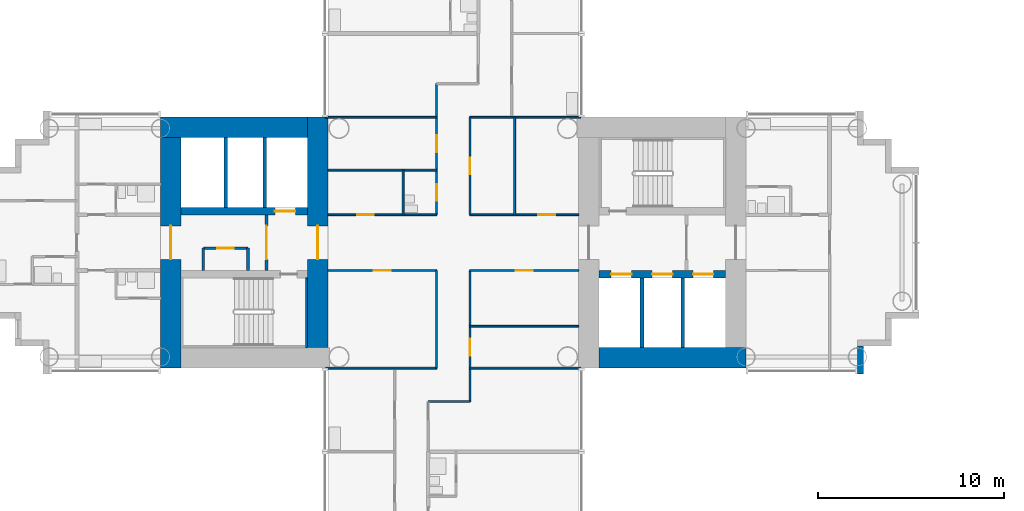
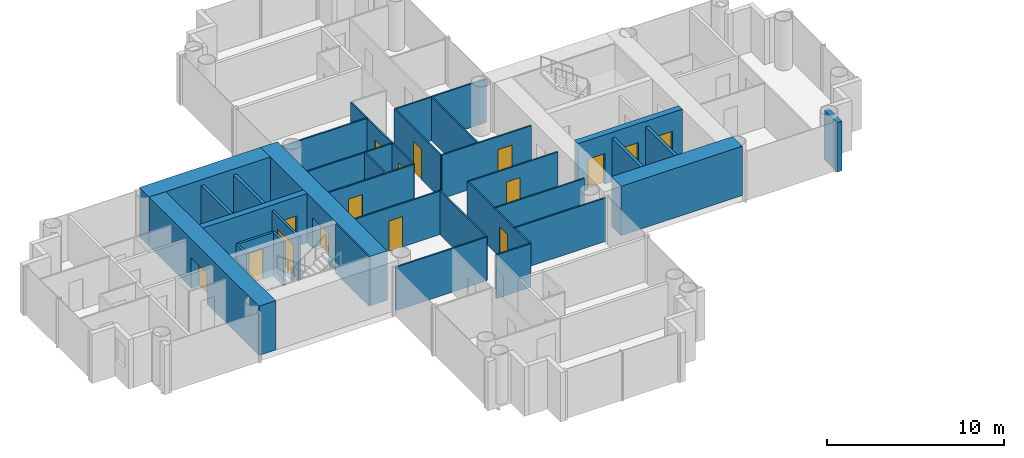
# One storey, part 10 of 22: 33 walls, 16 doors, 16 openings.
"""IFC4 building model written with IfcOpenShell, lengths in metres."""

from ifc_helpers import new_model, si_unit, direction, frame, frame_2d, origin, place, context, subcontext, project, spatial, rectangle, extrude, material, layer, layer_set, type_object, element, fill, save


model = new_model("IFC4")

# Units and contexts
model_context = context("Model", 3, precision=1e-05, world=origin(), true_north=direction((0.0, 1.0)))
body_context = subcontext(model_context, "Body", "Model", "MODEL_VIEW")
ifc_project = project(units=[si_unit("LENGTHUNIT", "METRE"), si_unit("AREAUNIT", "SQUARE_METRE"), si_unit("VOLUMEUNIT", "CUBIC_METRE"), si_unit("PLANEANGLEUNIT", "RADIAN"), si_unit("MASSUNIT", "GRAM", prefix="KILO")], contexts=[model_context])

# Site, building, storey
site_placement = place(None, origin())
site = spatial("IfcSite", under=ifc_project, at=site_placement, CompositionType="ELEMENT")
building_placement = place(site_placement, origin())
building = spatial("IfcBuilding", under=site, at=building_placement, Name="Ipe Terrace Towers", CompositionType="ELEMENT")
storey_placement = place(building_placement, frame((0.0, 0.0, 55.10009765625)))
storey = spatial("IfcBuildingStorey", under=building, at=storey_placement, Name="L14", CompositionType="ELEMENT", Elevation=55.10009765625)

# Walls
ifc_material_1 = material(Name="Concrete C40/50 with buff precast cladding", Category="concrete")
ifc_layer_1 = layer(ifc_material_1, 0.320068359375)
ifc_layer_set_1 = layer_set([ifc_layer_1], Name="BUFF CLADDING WALL 320")
wall_type_1 = type_object("IfcWallType", Name="BUFF CLADDING WALL 320", PredefinedType="STANDARD", material=ifc_layer_set_1)
wall_1_placement = place(storey_placement, frame((-14.090087890625, -7.070068359375, -0.300048828125), z_axis=(0.0, 0.0, 1.0), x_axis=(0.0, 1.0, 0.0)))
element("IfcWall", 1, at=wall_1_placement, inside=storey, type_object=wall_type_1, Name="T1-W-L14-21a wall", PredefinedType="STANDARD", context=body_context, shape_type="SweptSolid", body=[
    extrude(rectangle(XDim=1.5, YDim=0.320068359375, at=frame_2d((0.75, 0.0))), origin(), (0.0, 0.0, 1.0), 3.39990234375),
])
ifc_material_2 = material(Name="Gypsum board partition", Category="plasterboard")
ifc_layer_2 = layer(ifc_material_2, 0.10009765625)
ifc_layer_set_2 = layer_set([ifc_layer_2], Name="Gypsum board partition 100 mm")
wall_type_2 = type_object("IfcWallType", Name="Gypsum board partition 100 mm", PredefinedType="PARTITIONING", material=ifc_layer_set_2)
wall_2_placement = place(storey_placement, frame((-38.699951171875, 1.5, 0.0), z_axis=(0.0, 0.0, 1.0), x_axis=(0.0, 1.0, 0.0)))
element("IfcWall", 2, at=wall_2_placement, inside=storey, type_object=wall_type_2, Name="Gypsum board partition T1 L14 W06", PredefinedType="PARTITIONING", context=body_context, shape_type="SweptSolid", body=[
    extrude(rectangle(XDim=2.39990234375, YDim=0.10009765625, at=frame_2d((1.199951171875, 0.0))), origin(), (0.0, 0.0, 1.0), 3.0),
])
wall_3_placement = place(storey_placement, frame((-36.89990234375, -6.75, 0.0), z_axis=(0.0, 0.0, 1.0), x_axis=(0.0, 1.0, 0.0)))
element("IfcWall", 3, at=wall_3_placement, inside=storey, type_object=wall_type_2, Name="Gypsum board partition T1 L14 W09", PredefinedType="PARTITIONING", context=body_context, shape_type="SweptSolid", body=[
    extrude(rectangle(XDim=5.25, YDim=0.10009765625, at=frame_2d((2.625, 0.0))), origin(), (0.0, 0.0, 1.0), 3.0),
])

# Wall, openings, doors
wall_4_placement = place(storey_placement, frame((-36.89990234375, 1.5, 0.0), z_axis=(0.0, 0.0, 1.0), x_axis=(0.0, 1.0, 0.0)))
wall_4 = element("IfcWall", 4, at=wall_4_placement, inside=storey, type_object=wall_type_2, Name="Gypsum board partition T1 L14 W10", PredefinedType="PARTITIONING", context=body_context, shape_type="SweptSolid", body=[
    extrude(rectangle(XDim=7.050048828125, YDim=0.10009765625, at=frame_2d((3.52490234375, 0.0))), origin(), (0.0, 0.0, 1.0), 3.0),
])
opening_1_placement = place(wall_4_placement, frame((0.75, 0.0, 0.0)))
opening_1 = element("IfcOpeningElement", 5, at=opening_1_placement, cuts=wall_4, Name="Opening T1-Z1D-01", PredefinedType="OPENING", context=body_context, shape_type="SweptSolid", body=[
    extrude(rectangle(XDim=0.89990234375, YDim=2.10009765625, at=frame_2d((0.449951171875, 1.050048828125))), frame((0.0, 0.06005859375, 0.0), z_axis=(0.0, -1.0, 0.0), x_axis=(1.0, 0.0, 0.0)), (0.0, 0.0, 1.0), 0.1201171875),
])
opening_2_placement = place(wall_4_placement, frame((3.375, 0.0, 0.0)))
opening_2 = element("IfcOpeningElement", 6, at=opening_2_placement, cuts=wall_4, Name="Opening T1-Z1D-05", PredefinedType="OPENING", context=body_context, shape_type="SweptSolid", body=[
    extrude(rectangle(XDim=0.89990234375, YDim=2.10009765625, at=frame_2d((0.449951171875, 1.050048828125))), frame((0.0, 0.06005859375, 0.0), z_axis=(0.0, -1.0, 0.0), x_axis=(1.0, 0.0, 0.0)), (0.0, 0.0, 1.0), 0.1201171875),
])
ifc_material_3 = material(Name="Timber door leaf", Category="wood")
door_type_1 = type_object("IfcDoorType", Name="Bathroom door 900 x 2100", OperationType="NOTDEFINED", PredefinedType="DOOR", material=ifc_material_3)
door_1_placement = place(opening_1_placement, origin())
door_1 = element("IfcDoor", 7, at=door_1_placement, inside=storey, type_object=door_type_1, Name="Bathroom door T1-Z1D-01", OperationType="SINGLE_SWING_RIGHT", OverallHeight=2.10009765625, OverallWidth=0.89990234375, PredefinedType="DOOR", context=body_context, shape_type="SweptSolid", body=[
    extrude(rectangle(XDim=0.89990234375, YDim=2.10009765625, at=frame_2d((0.449951171875, 1.050048828125))), frame((0.0, 0.02490234375, 0.0), z_axis=(0.0, -1.0, 0.0), x_axis=(1.0, 0.0, 0.0)), (0.0, 0.0, 1.0), 0.050048828125),
])
fill(opening_1, door_1)
ifc_material_4 = material(Name="Timber door leaf", Category="wood")
door_type_2 = type_object("IfcDoorType", Name="Lounge door 900 x 2100", OperationType="NOTDEFINED", PredefinedType="DOOR", material=ifc_material_4)
door_2_placement = place(opening_2_placement, origin())
door_2 = element("IfcDoor", 8, at=door_2_placement, inside=storey, type_object=door_type_2, Name="Lounge door T1-Z1D-05", OperationType="SINGLE_SWING_LEFT", OverallHeight=2.10009765625, OverallWidth=0.89990234375, PredefinedType="DOOR", context=body_context, shape_type="SweptSolid", body=[
    extrude(rectangle(XDim=0.89990234375, YDim=2.10009765625, at=frame_2d((0.449951171875, 1.050048828125))), frame((0.0, 0.02490234375, 0.0), z_axis=(0.0, -1.0, 0.0), x_axis=(1.0, 0.0, 0.0)), (0.0, 0.0, 1.0), 0.050048828125),
])
fill(opening_2, door_2)

# Wall, opening, door
wall_5_placement = place(storey_placement, frame((-35.10009765625, -8.550048828125, 0.0), z_axis=(0.0, 0.0, 1.0), x_axis=(0.0, 1.0, 0.0)))
wall_5 = element("IfcWall", 9, at=wall_5_placement, inside=storey, type_object=wall_type_2, Name="Gypsum board partition T1 L14 W13", PredefinedType="PARTITIONING", context=body_context, shape_type="SweptSolid", body=[
    extrude(rectangle(XDim=7.050048828125, YDim=0.10009765625, at=frame_2d((3.52490234375, 0.0))), origin(), (0.0, 0.0, 1.0), 3.0),
])
opening_3_placement = place(wall_5_placement, frame((2.47509765625, 0.0, 0.0)))
opening_3 = element("IfcOpeningElement", 10, at=opening_3_placement, cuts=wall_5, Name="Opening T1-Z1D-08", PredefinedType="OPENING", context=body_context, shape_type="SweptSolid", body=[
    extrude(rectangle(XDim=0.89990234375, YDim=2.10009765625, at=frame_2d((0.449951171875, 1.050048828125))), frame((0.0, 0.06005859375, 0.0), z_axis=(0.0, -1.0, 0.0), x_axis=(1.0, 0.0, 0.0)), (0.0, 0.0, 1.0), 0.1201171875),
])
door_3_placement = place(opening_3_placement, origin())
door_3 = element("IfcDoor", 11, at=door_3_placement, inside=storey, type_object=door_type_2, Name="Lounge door T1-Z1D-08", OperationType="SINGLE_SWING_LEFT", OverallHeight=2.10009765625, OverallWidth=0.89990234375, PredefinedType="DOOR", context=body_context, shape_type="SweptSolid", body=[
    extrude(rectangle(XDim=0.89990234375, YDim=2.10009765625, at=frame_2d((0.449951171875, 1.050048828125))), frame((0.0, 0.02490234375, 0.0), z_axis=(0.0, -1.0, 0.0), x_axis=(1.0, 0.0, 0.0)), (0.0, 0.0, 1.0), 0.050048828125),
])
fill(opening_3, door_3)

wall_6_placement = place(storey_placement, frame((-35.10009765625, 1.5, 0.0), z_axis=(0.0, 0.0, 1.0), x_axis=(0.0, 1.0, 0.0)))
wall_6 = element("IfcWall", 12, at=wall_6_placement, inside=storey, type_object=wall_type_2, Name="Gypsum board partition T1 L14 W14", PredefinedType="PARTITIONING", context=body_context, shape_type="SweptSolid", body=[
    extrude(rectangle(XDim=5.25, YDim=0.10009765625, at=frame_2d((2.625, 0.0))), origin(), (0.0, 0.0, 1.0), 3.0),
])
opening_4_placement = place(wall_6_placement, frame((2.175048828125, 0.0, 0.0)))
opening_4 = element("IfcOpeningElement", 13, at=opening_4_placement, cuts=wall_6, Name="Opening T1-Z1D-02", PredefinedType="OPENING", context=body_context, shape_type="SweptSolid", body=[
    extrude(rectangle(XDim=0.89990234375, YDim=2.10009765625, at=frame_2d((0.449951171875, 1.050048828125))), frame((0.0, 0.06005859375, 0.0), z_axis=(0.0, -1.0, 0.0), x_axis=(1.0, 0.0, 0.0)), (0.0, 0.0, 1.0), 0.1201171875),
])
door_4_placement = place(opening_4_placement, origin())
door_4 = element("IfcDoor", 14, at=door_4_placement, inside=storey, type_object=door_type_2, Name="Lounge door T1-Z1D-02", OperationType="SINGLE_SWING_RIGHT", OverallHeight=2.10009765625, OverallWidth=0.89990234375, PredefinedType="DOOR", context=body_context, shape_type="SweptSolid", body=[
    extrude(rectangle(XDim=0.89990234375, YDim=2.10009765625, at=frame_2d((0.449951171875, 1.050048828125))), frame((0.0, 0.02490234375, 0.0), z_axis=(0.0, -1.0, 0.0), x_axis=(1.0, 0.0, 0.0)), (0.0, 0.0, 1.0), 0.050048828125),
])
fill(opening_4, door_4)

# Walls
wall_7_placement = place(storey_placement, frame((-32.699951171875, 1.5, 0.0), z_axis=(0.0, 0.0, 1.0), x_axis=(0.0, 1.0, 0.0)))
element("IfcWall", 15, at=wall_7_placement, inside=storey, type_object=wall_type_2, Name="Gypsum board partition T1 L14 W18", PredefinedType="PARTITIONING", context=body_context, shape_type="SweptSolid", body=[
    extrude(rectangle(XDim=5.25, YDim=0.10009765625, at=frame_2d((2.625, 0.0))), origin(), (0.0, 0.0, 1.0), 3.0),
])
wall_8_placement = place(storey_placement, frame((-37.35009765625, -8.550048828125, 0.0), z_axis=(0.0, 0.0, 1.0), x_axis=(1.0, 0.0, 0.0)))
element("IfcWall", 16, at=wall_8_placement, inside=storey, type_object=wall_type_2, Name="Gypsum board partition T1 L14 W27", PredefinedType="PARTITIONING", context=body_context, shape_type="SweptSolid", body=[
    extrude(rectangle(XDim=2.25, YDim=0.10009765625, at=frame_2d((1.125, 0.0))), origin(), (0.0, 0.0, 1.0), 3.0),
])
for number, where, z_axis, x_axis, name in (
    (17, (-42.85009765625, -6.75, 0.0), (0.0, 0.0, 1.0), (1.0, 0.0, 0.0), "Gypsum board partition T1 L14 W28"),
    (18, (-35.10009765625, -6.75, 0.0), (0.0, 0.0, 1.0), (1.0, 0.0, 0.0), "Gypsum board partition T1 L14 W29"),
):
    element("IfcWall", number, at=place(storey_placement, frame(where, z_axis=z_axis, x_axis=x_axis)), inside=storey, type_object=wall_type_2, Name=name, PredefinedType="PARTITIONING", context=body_context, shape_type="SweptSolid", body=[
        extrude(rectangle(XDim=5.9501953125, YDim=0.10009765625, at=frame_2d((2.97509765625, 0.0))), origin(), (0.0, 0.0, 1.0), 3.0),
    ])
wall_9_placement = place(storey_placement, frame((-35.10009765625, -4.5, 0.0), z_axis=(0.0, 0.0, 1.0), x_axis=(1.0, 0.0, 0.0)))
element("IfcWall", 19, at=wall_9_placement, inside=storey, type_object=wall_type_2, Name="Gypsum board partition T1 L14 W30", PredefinedType="PARTITIONING", context=body_context, shape_type="SweptSolid", body=[
    extrude(rectangle(XDim=5.85009765625, YDim=0.10009765625, at=frame_2d((2.925048828125, 0.0))), origin(), (0.0, 0.0, 1.0), 3.0),
])

# Wall, opening, door
wall_10_placement = place(storey_placement, frame((-42.75, -1.5, 0.0), z_axis=(0.0, 0.0, 1.0), x_axis=(1.0, 0.0, 0.0)))
wall_10 = element("IfcWall", 20, at=wall_10_placement, inside=storey, type_object=wall_type_2, Name="Gypsum board partition T1 L14 W33", PredefinedType="PARTITIONING", context=body_context, shape_type="SweptSolid", body=[
    extrude(rectangle(XDim=5.85009765625, YDim=0.10009765625, at=frame_2d((2.925048828125, 0.0))), origin(), (0.0, 0.0, 1.0), 3.0),
])
opening_5_placement = place(wall_10_placement, frame((2.47509765625, 0.0, 0.0)))
opening_5 = element("IfcOpeningElement", 21, at=opening_5_placement, cuts=wall_10, Name="Opening T1-Z1D-06", PredefinedType="OPENING", context=body_context, shape_type="SweptSolid", body=[
    extrude(rectangle(XDim=0.89990234375, YDim=2.10009765625, at=frame_2d((0.449951171875, 1.050048828125))), frame((0.0, 0.06005859375, 0.0), z_axis=(0.0, -1.0, 0.0), x_axis=(1.0, 0.0, 0.0)), (0.0, 0.0, 1.0), 0.1201171875),
])
door_5_placement = place(opening_5_placement, origin())
door_5 = element("IfcDoor", 22, at=door_5_placement, inside=storey, type_object=door_type_2, Name="Lounge door T1-Z1D-06", OperationType="SINGLE_SWING_LEFT", OverallHeight=2.10009765625, OverallWidth=0.89990234375, PredefinedType="DOOR", context=body_context, shape_type="SweptSolid", body=[
    extrude(rectangle(XDim=0.89990234375, YDim=2.10009765625, at=frame_2d((0.449951171875, 1.050048828125))), frame((0.0, 0.02490234375, 0.0), z_axis=(0.0, -1.0, 0.0), x_axis=(1.0, 0.0, 0.0)), (0.0, 0.0, 1.0), 0.050048828125),
])
fill(opening_5, door_5)

wall_11_placement = place(storey_placement, frame((-35.10009765625, -1.5, 0.0), z_axis=(0.0, 0.0, 1.0), x_axis=(1.0, 0.0, 0.0)))
wall_11 = element("IfcWall", 23, at=wall_11_placement, inside=storey, type_object=wall_type_2, Name="Gypsum board partition T1 L14 W34", PredefinedType="PARTITIONING", context=body_context, shape_type="SweptSolid", body=[
    extrude(rectangle(XDim=5.85009765625, YDim=0.10009765625, at=frame_2d((2.925048828125, 0.0))), origin(), (0.0, 0.0, 1.0), 3.0),
])
opening_6_placement = place(wall_11_placement, frame((2.47509765625, 0.0, 0.0)))
opening_6 = element("IfcOpeningElement", 24, at=opening_6_placement, cuts=wall_11, Name="Opening T1-Z1D-07", PredefinedType="OPENING", context=body_context, shape_type="SweptSolid", body=[
    extrude(rectangle(XDim=0.89990234375, YDim=2.10009765625, at=frame_2d((0.449951171875, 1.050048828125))), frame((0.0, 0.06005859375, 0.0), z_axis=(0.0, -1.0, 0.0), x_axis=(1.0, 0.0, 0.0)), (0.0, 0.0, 1.0), 0.1201171875),
])
door_6_placement = place(opening_6_placement, origin())
door_6 = element("IfcDoor", 25, at=door_6_placement, inside=storey, type_object=door_type_2, Name="Lounge door T1-Z1D-07", OperationType="SINGLE_SWING_RIGHT", OverallHeight=2.10009765625, OverallWidth=0.89990234375, PredefinedType="DOOR", context=body_context, shape_type="SweptSolid", body=[
    extrude(rectangle(XDim=0.89990234375, YDim=2.10009765625, at=frame_2d((0.449951171875, 1.050048828125))), frame((0.0, 0.02490234375, 0.0), z_axis=(0.0, -1.0, 0.0), x_axis=(1.0, 0.0, 0.0)), (0.0, 0.0, 1.0), 0.050048828125),
])
fill(opening_6, door_6)

wall_12_placement = place(storey_placement, frame((-42.75, 1.5, 0.0), z_axis=(0.0, 0.0, 1.0), x_axis=(1.0, 0.0, 0.0)))
wall_12 = element("IfcWall", 26, at=wall_12_placement, inside=storey, type_object=wall_type_2, Name="Gypsum board partition T1 L14 W38", PredefinedType="PARTITIONING", context=body_context, shape_type="SweptSolid", body=[
    extrude(rectangle(XDim=5.85009765625, YDim=0.10009765625, at=frame_2d((2.925048828125, 0.0))), origin(), (0.0, 0.0, 1.0), 3.0),
])
opening_7_placement = place(wall_12_placement, frame((1.574951171875, 0.0, 0.0)))
opening_7 = element("IfcOpeningElement", 27, at=opening_7_placement, cuts=wall_12, Name="Opening T1-Z1D-04", PredefinedType="OPENING", context=body_context, shape_type="SweptSolid", body=[
    extrude(rectangle(XDim=0.89990234375, YDim=2.10009765625, at=frame_2d((0.449951171875, 1.050048828125))), frame((0.0, 0.06005859375, 0.0), z_axis=(0.0, -1.0, 0.0), x_axis=(1.0, 0.0, 0.0)), (0.0, 0.0, 1.0), 0.1201171875),
])
door_7_placement = place(opening_7_placement, origin())
door_7 = element("IfcDoor", 28, at=door_7_placement, inside=storey, type_object=door_type_2, Name="Lounge door T1-Z1D-04", OperationType="SINGLE_SWING_RIGHT", OverallHeight=2.10009765625, OverallWidth=0.89990234375, PredefinedType="DOOR", context=body_context, shape_type="SweptSolid", body=[
    extrude(rectangle(XDim=0.89990234375, YDim=2.10009765625, at=frame_2d((0.449951171875, 1.050048828125))), frame((0.0, 0.02490234375, 0.0), z_axis=(0.0, -1.0, 0.0), x_axis=(1.0, 0.0, 0.0)), (0.0, 0.0, 1.0), 0.050048828125),
])
fill(opening_7, door_7)

wall_13_placement = place(storey_placement, frame((-35.10009765625, 1.5, 0.0), z_axis=(0.0, 0.0, 1.0), x_axis=(1.0, 0.0, 0.0)))
wall_13 = element("IfcWall", 29, at=wall_13_placement, inside=storey, type_object=wall_type_2, Name="Gypsum board partition T1 L14 W39", PredefinedType="PARTITIONING", context=body_context, shape_type="SweptSolid", body=[
    extrude(rectangle(XDim=5.85009765625, YDim=0.10009765625, at=frame_2d((2.925048828125, 0.0))), origin(), (0.0, 0.0, 1.0), 3.0),
])
opening_8_placement = place(wall_13_placement, frame((3.675048828125, 0.0, 0.0)))
opening_8 = element("IfcOpeningElement", 30, at=opening_8_placement, cuts=wall_13, Name="Opening T1-Z1D-03", PredefinedType="OPENING", context=body_context, shape_type="SweptSolid", body=[
    extrude(rectangle(XDim=0.89990234375, YDim=2.10009765625, at=frame_2d((0.449951171875, 1.050048828125))), frame((0.0, 0.06005859375, 0.0), z_axis=(0.0, -1.0, 0.0), x_axis=(1.0, 0.0, 0.0)), (0.0, 0.0, 1.0), 0.1201171875),
])
door_8_placement = place(opening_8_placement, origin())
door_8 = element("IfcDoor", 31, at=door_8_placement, inside=storey, type_object=door_type_2, Name="Lounge door T1-Z1D-03", OperationType="SINGLE_SWING_LEFT", OverallHeight=2.10009765625, OverallWidth=0.89990234375, PredefinedType="DOOR", context=body_context, shape_type="SweptSolid", body=[
    extrude(rectangle(XDim=0.89990234375, YDim=2.10009765625, at=frame_2d((0.449951171875, 1.050048828125))), frame((0.0, 0.02490234375, 0.0), z_axis=(0.0, -1.0, 0.0), x_axis=(1.0, 0.0, 0.0)), (0.0, 0.0, 1.0), 0.050048828125),
])
fill(opening_8, door_8)

# Walls
wall_14_placement = place(storey_placement, frame((-42.75, 3.89990234375, 0.0), z_axis=(0.0, 0.0, 1.0), x_axis=(1.0, 0.0, 0.0)))
element("IfcWall", 32, at=wall_14_placement, inside=storey, type_object=wall_type_2, Name="Gypsum board partition T1 L14 W45", PredefinedType="PARTITIONING", context=body_context, shape_type="SweptSolid", body=[
    extrude(rectangle(XDim=5.85009765625, YDim=0.10009765625, at=frame_2d((2.925048828125, 0.0))), origin(), (0.0, 0.0, 1.0), 3.0),
])
for number, where, z_axis, x_axis, name in (
    (33, (-42.85009765625, 6.75, 0.0), (0.0, 0.0, 1.0), (1.0, 0.0, 0.0), "Gypsum board partition T1 L14 W46"),
    (34, (-35.10009765625, 6.75, 0.0), (0.0, 0.0, 1.0), (1.0, 0.0, 0.0), "Gypsum board partition T1 L14 W47"),
):
    element("IfcWall", number, at=place(storey_placement, frame(where, z_axis=z_axis, x_axis=x_axis)), inside=storey, type_object=wall_type_2, Name=name, PredefinedType="PARTITIONING", context=body_context, shape_type="SweptSolid", body=[
        extrude(rectangle(XDim=5.9501953125, YDim=0.10009765625, at=frame_2d((2.97509765625, 0.0))), origin(), (0.0, 0.0, 1.0), 3.0),
    ])

# Wall, opening, door
ifc_material_5 = material(Name="Gypsum board partition", Category="plasterboard")
ifc_layer_3 = layer(ifc_material_5, 0.14990234375)
ifc_layer_set_3 = layer_set([ifc_layer_3], Name="Gypsum board partition 150 mm")
wall_type_3 = type_object("IfcWallType", Name="Gypsum board partition 150 mm", PredefinedType="PARTITIONING", material=ifc_layer_set_3)
wall_15_placement = place(storey_placement, frame((-46.050048828125, 1.5, 0.0), z_axis=(0.0, 0.0, 1.0), x_axis=(0.0, -1.0, 0.0)))
wall_15 = element("IfcWall", 35, at=wall_15_placement, inside=storey, type_object=wall_type_3, Name="Gypsum board partition T1 L14 t1c2-lobby-wall", PredefinedType="PARTITIONING", context=body_context, shape_type="SweptSolid", body=[
    extrude(rectangle(XDim=3.0, YDim=0.14990234375, at=frame_2d((1.5, 0.0))), origin(), (0.0, 0.0, 1.0), 3.0),
])
opening_9_placement = place(wall_15_placement, frame((0.60009765625, 0.0, 0.0)))
opening_9 = element("IfcOpeningElement", 36, at=opening_9_placement, cuts=wall_15, Name="Opening T1C2-VD", PredefinedType="OPENING", context=body_context, shape_type="SweptSolid", body=[
    extrude(rectangle(XDim=1.800048828125, YDim=2.10009765625, at=frame_2d((0.89990234375, 1.050048828125))), frame((0.0, 0.0849609375, 0.0), z_axis=(0.0, -1.0, 0.0), x_axis=(1.0, 0.0, 0.0)), (0.0, 0.0, 1.0), 0.169921875),
])
ifc_material_6 = material(Name="Fire-rated timber door leaf", Category="wood")
door_type_3 = type_object("IfcDoorType", Name="Lobby door 1800 x 2100 FD60", OperationType="NOTDEFINED", PredefinedType="DOOR", material=ifc_material_6)
door_9_placement = place(opening_9_placement, origin())
door_9 = element("IfcDoor", 37, at=door_9_placement, inside=storey, type_object=door_type_3, Name="Lobby door T1C2-VD", OperationType="SINGLE_SWING_LEFT", OverallHeight=2.10009765625, OverallWidth=1.800048828125, PredefinedType="DOOR", context=body_context, shape_type="SweptSolid", body=[
    extrude(rectangle(XDim=1.800048828125, YDim=2.10009765625, at=frame_2d((0.89990234375, 1.050048828125))), frame((0.0, 0.02490234375, 0.0), z_axis=(0.0, -1.0, 0.0), x_axis=(1.0, 0.0, 0.0)), (0.0, 0.0, 1.0), 0.050048828125),
])
fill(opening_9, door_9)

wall_16_placement = place(storey_placement, frame((-47.050048828125, -0.300048828125, 0.0), z_axis=(0.0, 0.0, 1.0), x_axis=(-1.0, 0.0, 0.0)))
wall_16 = element("IfcWall", 38, at=wall_16_placement, inside=storey, type_object=wall_type_3, Name="Gypsum board partition T1 L14 t1c2-cup-n-f", PredefinedType="PARTITIONING", context=body_context, shape_type="SweptSolid", body=[
    extrude(rectangle(XDim=2.39990234375, YDim=0.14990234375, at=frame_2d((1.199951171875, 0.0))), origin(), (0.0, 0.0, 1.0), 3.0),
])
opening_10_placement = place(wall_16_placement, frame((0.75, 0.0, 0.0)))
opening_10 = element("IfcOpeningElement", 39, at=opening_10_placement, cuts=wall_16, Name="Opening T1C2-SR", PredefinedType="OPENING", context=body_context, shape_type="SweptSolid", body=[
    extrude(rectangle(XDim=0.89990234375, YDim=2.10009765625, at=frame_2d((0.449951171875, 1.050048828125))), frame((0.0, 0.0849609375, 0.0), z_axis=(0.0, -1.0, 0.0), x_axis=(1.0, 0.0, 0.0)), (0.0, 0.0, 1.0), 0.169921875),
])
ifc_material_7 = material(Name="Fire-rated timber door leaf", Category="wood")
door_type_4 = type_object("IfcDoorType", Name="Service door 900 x 2100 FD60", OperationType="NOTDEFINED", PredefinedType="DOOR", material=ifc_material_7)
door_10_placement = place(opening_10_placement, origin())
door_10 = element("IfcDoor", 40, at=door_10_placement, inside=storey, type_object=door_type_4, Name="Service door T1C2-SR", OperationType="SINGLE_SWING_LEFT", OverallHeight=2.10009765625, OverallWidth=0.89990234375, PredefinedType="DOOR", context=body_context, shape_type="SweptSolid", body=[
    extrude(rectangle(XDim=0.89990234375, YDim=2.10009765625, at=frame_2d((0.449951171875, 1.050048828125))), frame((0.0, 0.02490234375, 0.0), z_axis=(0.0, -1.0, 0.0), x_axis=(1.0, 0.0, 0.0)), (0.0, 0.0, 1.0), 0.050048828125),
])
fill(opening_10, door_10)

# Walls
for number, where, z_axis, x_axis, name in (
    (41, (-47.050048828125, -0.300048828125, 0.0), (0.0, 0.0, 1.0), (0.0, -1.0, 0.0), "Gypsum board partition T1 L14 t1c2-cup-n-a"),
    (42, (-49.449951171875, -0.300048828125, 0.0), (0.0, 0.0, 1.0), (0.0, -1.0, 0.0), "Gypsum board partition T1 L14 t1c2-cup-n-b"),
):
    element("IfcWall", number, at=place(storey_placement, frame(where, z_axis=z_axis, x_axis=x_axis)), inside=storey, type_object=wall_type_3, Name=name, PredefinedType="PARTITIONING", context=body_context, shape_type="SweptSolid", body=[
        extrude(rectangle(XDim=1.199951171875, YDim=0.14990234375, at=frame_2d((0.60009765625, 0.0))), origin(), (0.0, 0.0, 1.0), 3.0),
    ])
ifc_material_8 = material(Name="Gypsum board party wall", Category="plasterboard")
ifc_layer_4 = layer(ifc_material_8, 0.199951171875)
ifc_layer_set_4 = layer_set([ifc_layer_4], Name="Gypsum board party wall 200 mm")
wall_type_4 = type_object("IfcWallType", Name="Gypsum board party wall 200 mm", PredefinedType="SOLIDWALL", material=ifc_layer_set_4)
for number, where, z_axis, x_axis, name in (
    (43, (-25.85009765625, -5.64990234375, 0.0), (0.0, 0.0, 1.0), (0.0, 1.0, 0.0), "Gypsum board party wall T1 L14 t1c1-shaft-div1"),
    (44, (-23.64990234375, -5.64990234375, 0.0), (0.0, 0.0, 1.0), (0.0, 1.0, 0.0), "Gypsum board party wall T1 L14 t1c1-shaft-div2"),
    (45, (-46.14990234375, 5.64990234375, 0.0), (0.0, 0.0, 1.0), (0.0, -1.0, 0.0), "Gypsum board party wall T1 L14 t1c2-shaft-div1"),
    (46, (-48.25, 5.64990234375, 0.0), (0.0, 0.0, 1.0), (0.0, -1.0, 0.0), "Gypsum board party wall T1 L14 t1c2-shaft-div2"),
):
    element("IfcWall", number, at=place(storey_placement, frame(where, z_axis=z_axis, x_axis=x_axis)), inside=storey, type_object=wall_type_4, Name=name, PredefinedType="SOLIDWALL", context=body_context, shape_type="SweptSolid", body=[
        extrude(rectangle(XDim=3.75, YDim=0.199951171875, at=frame_2d((1.875, 0.0))), origin(), (0.0, 0.0, 1.0), 3.0),
    ])
ifc_material_9 = material(Name="Concrete C60/75", Category="concrete")
ifc_layer_5 = layer(ifc_material_9, 0.10009765625)
ifc_layer_set_5 = layer_set([ifc_layer_5], Name="RW100 CORE INFILL WALL 100 C60-75")
wall_type_5 = type_object("IfcWallType", Name="RW100 CORE INFILL WALL 100 C60-75", PredefinedType="SHEAR", material=ifc_layer_set_5)
wall_17_placement = place(storey_placement, frame((-43.89990234375, -1.89990234375, 0.0), z_axis=(0.0, 0.0, 1.0), x_axis=(0.0, -1.0, 0.0)))
element("IfcWall", 47, at=wall_17_placement, inside=storey, type_object=wall_type_5, Name="Core infill wall T1-C2-near", PredefinedType="SHEAR", context=body_context, shape_type="SweptSolid", body=[
    extrude(rectangle(XDim=3.75, YDim=0.10009765625, at=frame_2d((1.875, 0.0))), origin(), (0.0, 0.0, 1.0), 3.39990234375),
])
ifc_material_10 = material(Name="Concrete C60/75", Category="concrete")
ifc_layer_6 = layer(ifc_material_10, 1.10009765625)
ifc_layer_set_6 = layer_set([ifc_layer_6], Name="RW1100 CORE WALL 1100 C60-75")
wall_type_6 = type_object("IfcWallType", Name="RW1100 CORE WALL 1100 C60-75", PredefinedType="SHEAR", material=ifc_layer_set_6)
wall_18_placement = place(storey_placement, frame((-28.14990234375, -6.199951171875, 0.0), z_axis=(0.0, 0.0, 1.0), x_axis=(1.0, 0.0, 0.0)))
element("IfcWall", 48, at=wall_18_placement, inside=storey, type_object=wall_type_6, Name="Core wall T1-C1-Z1-W01", PredefinedType="SHEAR", context=body_context, shape_type="SweptSolid", body=[
    extrude(rectangle(XDim=7.89990234375, YDim=1.10009765625, at=frame_2d((3.949951171875, 0.0))), origin(), (0.0, 0.0, 1.0), 3.39990234375),
])

# Wall, opening, door
wall_19_placement = place(storey_placement, frame((-43.300048828125, -5.64990234375, 0.0), z_axis=(0.0, 0.0, 1.0), x_axis=(0.0, 1.0, 0.0)))
wall_19 = element("IfcWall", 49, at=wall_19_placement, inside=storey, type_object=wall_type_6, Name="Core wall T1-C2-Z1-W02", PredefinedType="SHEAR", context=body_context, shape_type="SweptSolid", body=[
    extrude(rectangle(XDim=12.39990234375, YDim=1.10009765625, at=frame_2d((6.199951171875, 0.0))), origin(), (0.0, 0.0, 1.0), 3.39990234375),
])
opening_11_placement = place(wall_19_placement, frame((4.75, 0.0, 0.0)))
opening_11 = element("IfcOpeningElement", 50, at=opening_11_placement, cuts=wall_19, Name="Opening T1C2-ND", PredefinedType="OPENING", context=body_context, shape_type="SweptSolid", body=[
    extrude(rectangle(XDim=1.800048828125, YDim=2.10009765625, at=frame_2d((0.89990234375, 1.050048828125))), frame((0.0, 0.56005859375, 0.0), z_axis=(0.0, -1.0, 0.0), x_axis=(1.0, 0.0, 0.0)), (0.0, 0.0, 1.0), 1.1201171875),
])
ifc_material_11 = material(Name="Fire-rated timber door leaf", Category="wood")
door_type_5 = type_object("IfcDoorType", Name="Fire door 1800 x 2100 FD30S", OperationType="NOTDEFINED", PredefinedType="DOOR", material=ifc_material_11)
door_11_placement = place(opening_11_placement, origin())
door_11 = element("IfcDoor", 51, at=door_11_placement, inside=storey, type_object=door_type_5, Name="Fire door T1C2-ND", OperationType="SINGLE_SWING_LEFT", OverallHeight=2.10009765625, OverallWidth=1.800048828125, PredefinedType="DOOR", context=body_context, shape_type="SweptSolid", body=[
    extrude(rectangle(XDim=1.800048828125, YDim=2.10009765625, at=frame_2d((0.89990234375, 1.050048828125))), frame((0.0, 0.02490234375, 0.0), z_axis=(0.0, -1.0, 0.0), x_axis=(1.0, 0.0, 0.0)), (0.0, 0.0, 1.0), 0.050048828125),
])
fill(opening_11, door_11)

# Wall
wall_20_placement = place(storey_placement, frame((-43.85009765625, 6.199951171875, 0.0), z_axis=(0.0, 0.0, 1.0), x_axis=(-1.0, 0.0, 0.0)))
element("IfcWall", 52, at=wall_20_placement, inside=storey, type_object=wall_type_6, Name="Core wall T1-C2-Z1-W03", PredefinedType="SHEAR", context=body_context, shape_type="SweptSolid", body=[
    extrude(rectangle(XDim=7.89990234375, YDim=1.10009765625, at=frame_2d((3.949951171875, 0.0))), origin(), (0.0, 0.0, 1.0), 3.39990234375),
])

# Wall, opening, door
wall_21_placement = place(storey_placement, frame((-51.199951171875, 5.64990234375, 0.0), z_axis=(0.0, 0.0, 1.0), x_axis=(0.0, -1.0, 0.0)))
wall_21 = element("IfcWall", 53, at=wall_21_placement, inside=storey, type_object=wall_type_6, Name="Core wall T1-C2-Z1-W04", PredefinedType="SHEAR", context=body_context, shape_type="SweptSolid", body=[
    extrude(rectangle(XDim=12.39990234375, YDim=1.10009765625, at=frame_2d((6.199951171875, 0.0))), origin(), (0.0, 0.0, 1.0), 3.39990234375),
])
opening_12_placement = place(wall_21_placement, frame((4.75, 0.0, 0.0)))
opening_12 = element("IfcOpeningElement", 54, at=opening_12_placement, cuts=wall_21, Name="Opening T1C2-FD", PredefinedType="OPENING", context=body_context, shape_type="SweptSolid", body=[
    extrude(rectangle(XDim=1.800048828125, YDim=2.10009765625, at=frame_2d((0.89990234375, 1.050048828125))), frame((0.0, 0.56005859375, 0.0), z_axis=(0.0, -1.0, 0.0), x_axis=(1.0, 0.0, 0.0)), (0.0, 0.0, 1.0), 1.1201171875),
])
door_12_placement = place(opening_12_placement, origin())
door_12 = element("IfcDoor", 55, at=door_12_placement, inside=storey, type_object=door_type_5, Name="Fire door T1C2-FD", OperationType="SINGLE_SWING_LEFT", OverallHeight=2.10009765625, OverallWidth=1.800048828125, PredefinedType="DOOR", context=body_context, shape_type="SweptSolid", body=[
    extrude(rectangle(XDim=1.800048828125, YDim=2.10009765625, at=frame_2d((0.89990234375, 1.050048828125))), frame((0.0, 0.02490234375, 0.0), z_axis=(0.0, -1.0, 0.0), x_axis=(1.0, 0.0, 0.0)), (0.0, 0.0, 1.0), 0.050048828125),
])
fill(opening_12, door_12)

# Wall, openings, doors
ifc_material_12 = material(Name="Concrete C60/75", Category="concrete")
ifc_layer_7 = layer(ifc_material_12, 0.39990234375)
ifc_layer_set_7 = layer_set([ifc_layer_7], Name="RW400 CORE SPINE WALL 400 C60-75")
wall_type_7 = type_object("IfcWallType", Name="RW400 CORE SPINE WALL 400 C60-75", PredefinedType="SHEAR", material=ifc_layer_set_7)
wall_22_placement = place(storey_placement, frame((-28.14990234375, -1.699951171875, 0.0), z_axis=(0.0, 0.0, 1.0), x_axis=(1.0, 0.0, 0.0)))
wall_22 = element("IfcWall", 56, at=wall_22_placement, inside=storey, type_object=wall_type_7, Name="Core spine wall T1-C1-Z1-SW1", PredefinedType="SHEAR", context=body_context, shape_type="SweptSolid", body=[
    extrude(rectangle(XDim=6.7998046875, YDim=0.39990234375, at=frame_2d((3.39990234375, 0.0))), origin(), (0.0, 0.0, 1.0), 3.39990234375),
])
opening_13_placement = place(wall_22_placement, frame((0.64990234375, 0.0, 0.0)))
opening_13 = element("IfcOpeningElement", 57, at=opening_13_placement, cuts=wall_22, Name="Opening T1C1-LD1", PredefinedType="OPENING", context=body_context, shape_type="SweptSolid", body=[
    extrude(rectangle(XDim=1.10009765625, YDim=2.10009765625, at=frame_2d((0.550048828125, 1.050048828125))), frame((0.0, 0.2099609375, 0.0), z_axis=(0.0, -1.0, 0.0), x_axis=(1.0, 0.0, 0.0)), (0.0, 0.0, 1.0), 0.419921875),
])
opening_14_placement = place(wall_22_placement, frame((2.85009765625, 0.0, 0.0)))
opening_14 = element("IfcOpeningElement", 58, at=opening_14_placement, cuts=wall_22, Name="Opening T1C1-LD2", PredefinedType="OPENING", context=body_context, shape_type="SweptSolid", body=[
    extrude(rectangle(XDim=1.10009765625, YDim=2.10009765625, at=frame_2d((0.550048828125, 1.050048828125))), frame((0.0, 0.2099609375, 0.0), z_axis=(0.0, -1.0, 0.0), x_axis=(1.0, 0.0, 0.0)), (0.0, 0.0, 1.0), 0.419921875),
])
opening_15_placement = place(wall_22_placement, frame((5.050048828125, 0.0, 0.0)))
opening_15 = element("IfcOpeningElement", 59, at=opening_15_placement, cuts=wall_22, Name="Opening T1C1-LD3", PredefinedType="OPENING", context=body_context, shape_type="SweptSolid", body=[
    extrude(rectangle(XDim=1.10009765625, YDim=2.10009765625, at=frame_2d((0.550048828125, 1.050048828125))), frame((0.0, 0.2099609375, 0.0), z_axis=(0.0, -1.0, 0.0), x_axis=(1.0, 0.0, 0.0)), (0.0, 0.0, 1.0), 0.419921875),
])
ifc_material_13 = material(Name="Fire-rated timber door leaf", Category="wood")
door_type_6 = type_object("IfcDoorType", Name="Sliding door 1100 x 2100 FD60", OperationType="SLIDING_TO_LEFT", PredefinedType="DOOR", material=ifc_material_13)
door_13_placement = place(opening_13_placement, origin())
door_13 = element("IfcDoor", 60, at=door_13_placement, inside=storey, type_object=door_type_6, Name="Sliding door T1C1-LD1", OperationType="SLIDING_TO_LEFT", OverallHeight=2.10009765625, OverallWidth=1.10009765625, PredefinedType="DOOR", context=body_context, shape_type="SweptSolid", body=[
    extrude(rectangle(XDim=1.10009765625, YDim=2.10009765625, at=frame_2d((0.550048828125, 1.050048828125))), frame((0.0, 0.02490234375, 0.0), z_axis=(0.0, -1.0, 0.0), x_axis=(1.0, 0.0, 0.0)), (0.0, 0.0, 1.0), 0.050048828125),
])
fill(opening_13, door_13)
door_14_placement = place(opening_14_placement, origin())
door_14 = element("IfcDoor", 61, at=door_14_placement, inside=storey, type_object=door_type_6, Name="Sliding door T1C1-LD2", OperationType="SLIDING_TO_LEFT", OverallHeight=2.10009765625, OverallWidth=1.10009765625, PredefinedType="DOOR", context=body_context, shape_type="SweptSolid", body=[
    extrude(rectangle(XDim=1.10009765625, YDim=2.10009765625, at=frame_2d((0.550048828125, 1.050048828125))), frame((0.0, 0.02490234375, 0.0), z_axis=(0.0, -1.0, 0.0), x_axis=(1.0, 0.0, 0.0)), (0.0, 0.0, 1.0), 0.050048828125),
])
fill(opening_14, door_14)
door_15_placement = place(opening_15_placement, origin())
door_15 = element("IfcDoor", 62, at=door_15_placement, inside=storey, type_object=door_type_6, Name="Sliding door T1C1-LD3", OperationType="SLIDING_TO_LEFT", OverallHeight=2.10009765625, OverallWidth=1.10009765625, PredefinedType="DOOR", context=body_context, shape_type="SweptSolid", body=[
    extrude(rectangle(XDim=1.10009765625, YDim=2.10009765625, at=frame_2d((0.550048828125, 1.050048828125))), frame((0.0, 0.02490234375, 0.0), z_axis=(0.0, -1.0, 0.0), x_axis=(1.0, 0.0, 0.0)), (0.0, 0.0, 1.0), 0.050048828125),
])
fill(opening_15, door_15)

# Wall, opening, door
wall_23_placement = place(storey_placement, frame((-50.64990234375, 1.699951171875, 0.0), z_axis=(0.0, 0.0, 1.0), x_axis=(1.0, 0.0, 0.0)))
wall_23 = element("IfcWall", 63, at=wall_23_placement, inside=storey, type_object=wall_type_7, Name="Core spine wall T1-C2-Z1-SW2", PredefinedType="SHEAR", context=body_context, shape_type="SweptSolid", body=[
    extrude(rectangle(XDim=6.7998046875, YDim=0.39990234375, at=frame_2d((3.39990234375, 0.0))), origin(), (0.0, 0.0, 1.0), 3.39990234375),
])
opening_16_placement = place(wall_23_placement, frame((5.050048828125, 0.0, 0.0)))
opening_16 = element("IfcOpeningElement", 64, at=opening_16_placement, cuts=wall_23, Name="Opening T1C2-LD1", PredefinedType="OPENING", context=body_context, shape_type="SweptSolid", body=[
    extrude(rectangle(XDim=1.10009765625, YDim=2.10009765625, at=frame_2d((0.550048828125, 1.050048828125))), frame((0.0, 0.2099609375, 0.0), z_axis=(0.0, -1.0, 0.0), x_axis=(1.0, 0.0, 0.0)), (0.0, 0.0, 1.0), 0.419921875),
])
door_16_placement = place(opening_16_placement, origin())
door_16 = element("IfcDoor", 65, at=door_16_placement, inside=storey, type_object=door_type_6, Name="Sliding door T1C2-LD1", OperationType="SLIDING_TO_LEFT", OverallHeight=2.10009765625, OverallWidth=1.10009765625, PredefinedType="DOOR", context=body_context, shape_type="SweptSolid", body=[
    extrude(rectangle(XDim=1.10009765625, YDim=2.10009765625, at=frame_2d((0.550048828125, 1.050048828125))), frame((0.0, 0.02490234375, 0.0), z_axis=(0.0, -1.0, 0.0), x_axis=(1.0, 0.0, 0.0)), (0.0, 0.0, 1.0), 0.050048828125),
])
fill(opening_16, door_16)

save(model, "model.ifc")
